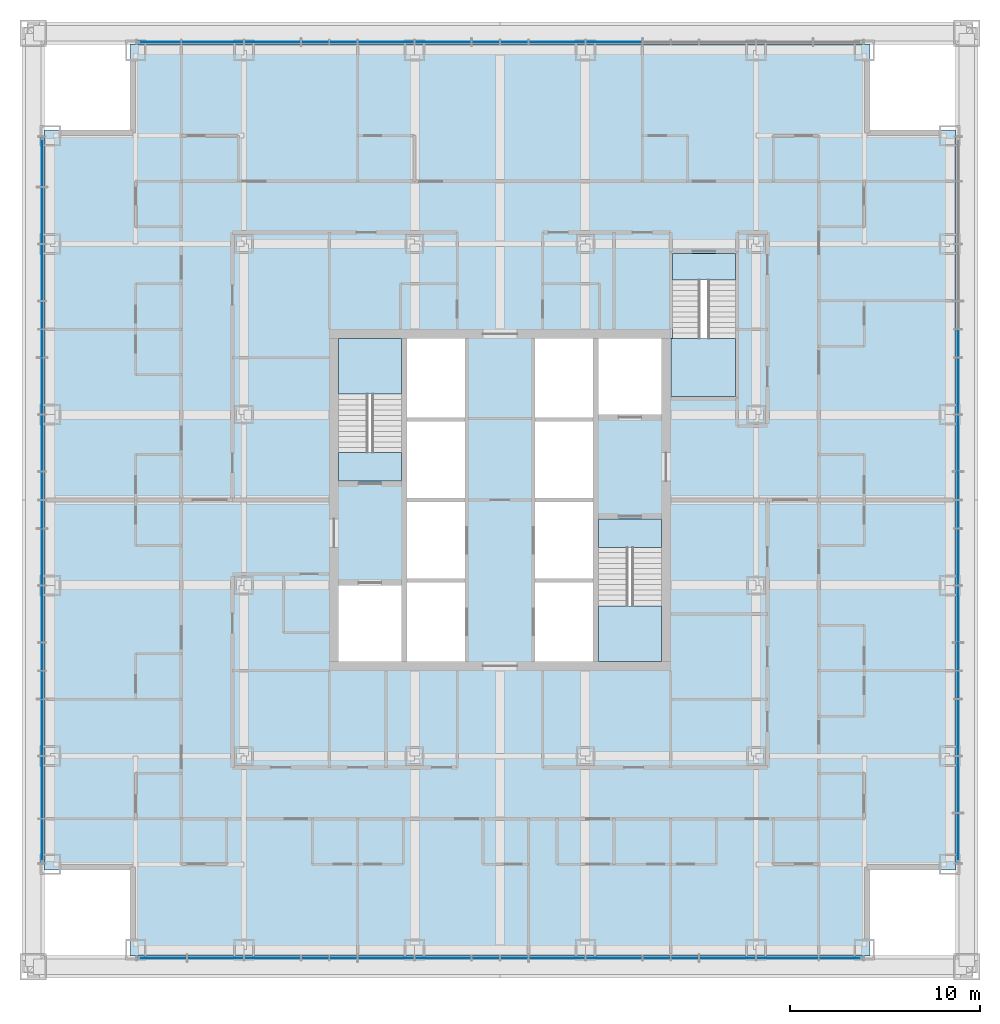
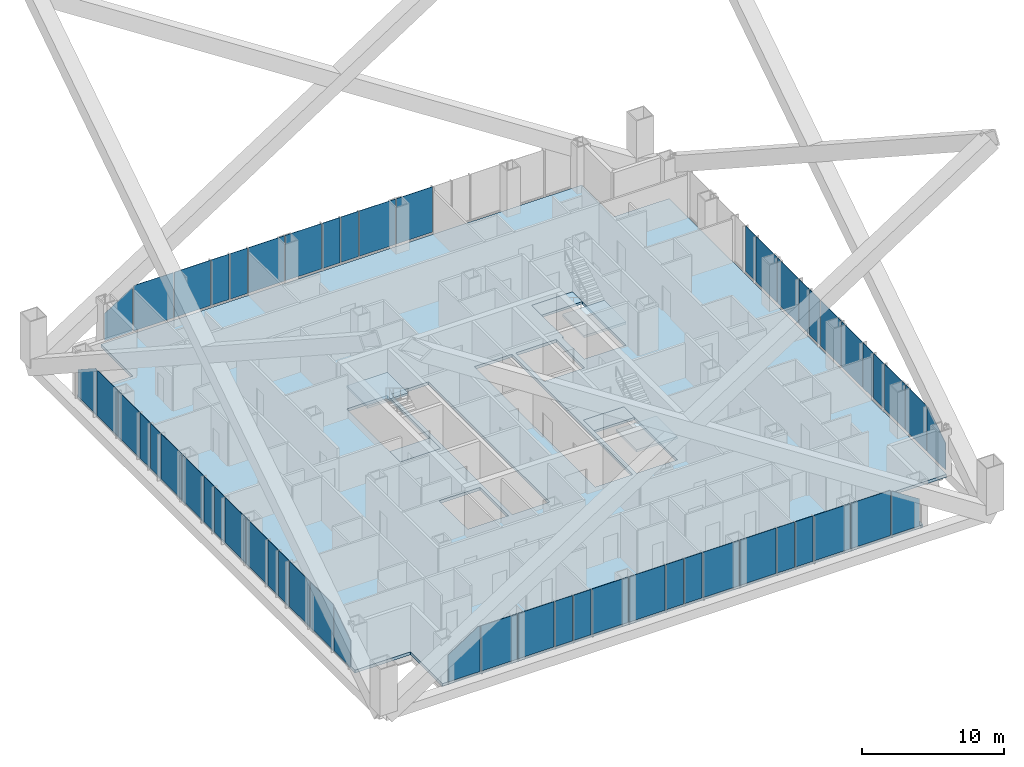
# One storey, part 10 of 21: 55 plates, 7 slabs, 7 elements without a shape of their own.
"""IFC4 building model written with IfcOpenShell, lengths in metres."""

from ifc_helpers import new_model, si_unit, direction, frame, origin, origin_2d, place, context, subcontext, project, spatial, polyline, rectangle, outline, extrude, material, layer, layer_set, type_object, element, aggregate, save


model = new_model("IFC4")

# Units and contexts
model_context = context("Model", 3, precision=1e-05, world=origin(), true_north=direction((0.0, 1.0)))
body_context = subcontext(model_context, "Body", "Model", "MODEL_VIEW")
ifc_project = project(units=[si_unit("LENGTHUNIT", "METRE"), si_unit("AREAUNIT", "SQUARE_METRE"), si_unit("VOLUMEUNIT", "CUBIC_METRE"), si_unit("PLANEANGLEUNIT", "RADIAN"), si_unit("MASSUNIT", "GRAM", prefix="KILO")], contexts=[model_context])

# Site, building, storey
site_placement = place(None, origin())
site = spatial("IfcSite", under=ifc_project, at=site_placement, CompositionType="ELEMENT")
building_placement = place(site_placement, origin())
building = spatial("IfcBuilding", under=site, at=building_placement, Name="Malebo Sky Hospital", CompositionType="ELEMENT")
storey_placement = place(building_placement, frame((0.0, 0.0, 140.0)))
storey = spatial("IfcBuildingStorey", under=building, at=storey_placement, Name="L33", CompositionType="ELEMENT", Elevation=140.0)

# Slab
ifc_material_1 = material(Name="Concrete C40/50", Category="concrete")
ifc_layer_1 = layer(ifc_material_1, 0.25)
ifc_layer_set_1 = layer_set([ifc_layer_1], Name="COMPOSITE FLOOR SLAB 250")
slab_type_1 = type_object("IfcSlabType", Name="COMPOSITE FLOOR SLAB 250", PredefinedType="FLOOR", material=ifc_layer_set_1)
slab_1_placement = place(storey_placement, frame((0.0, 0.0, -0.25)))
element("IfcSlab", 1, at=slab_1_placement, inside=storey, type_object=slab_type_1, Name="Floor slab L33", PredefinedType="FLOOR", context=body_context, shape_type="SweptSolid", body=[
    extrude(outline(polyline([(40.5, 86.0), (40.5, 81.5), (36.0, 81.5), (36.0, 42.5), (40.5, 42.5), (40.5, 38.0), (79.5, 38.0), (79.5, 42.5), (84.0, 42.5), (84.0, 81.5), (79.5, 81.5), (79.5, 86.0), (40.5, 86.0)]), holes=[polyline([(55.10009765625, 70.5), (58.14990234375, 70.5), (58.14990234375, 53.5), (55.10009765625, 53.5), (55.10009765625, 70.5)]), polyline([(64.89990234375, 70.5), (64.89990234375, 53.5), (61.85009765625, 53.5), (61.85009765625, 70.5), (64.89990234375, 70.5)]), polyline([(54.800048828125, 63.0), (51.5, 63.0), (51.5, 70.5), (54.800048828125, 70.5), (54.800048828125, 63.0)]), polyline([(51.5, 53.5), (51.5, 57.5), (54.800048828125, 57.5), (54.800048828125, 53.5), (51.5, 53.5)]), polyline([(65.199951171875, 61.0), (68.5, 61.0), (68.5, 53.5), (65.199951171875, 53.5), (65.199951171875, 61.0)]), polyline([(68.5, 70.5), (68.5, 66.5), (65.199951171875, 66.5), (65.199951171875, 70.5), (68.5, 70.5)]), polyline([(69.0, 67.449951171875), (69.0, 70.52001953125), (69.10009765625, 70.52001953125), (69.10009765625, 75.0), (72.39990234375, 75.0), (72.39990234375, 67.449951171875), (69.10009765625, 67.449951171875), (69.0, 67.449951171875)])]), origin(), (0.0, 0.0, 1.0), 0.25),
])

# Stair, slabs
stair_type_1 = type_object("IfcStairType", Name="HALF-TURN STAIR 1500 R167", PredefinedType="HALF_TURN_STAIR", material=ifc_material_1)
stair_1_placement = place(storey_placement, origin())
stair_1 = element("IfcStair", 2, at=stair_1_placement, inside=storey, type_object=stair_type_1, Name="Stair S1 L33 type ST1", PredefinedType="HALF_TURN_STAIR")
ifc_layer_2 = layer(ifc_material_1, 0.199951171875)
ifc_layer_set_2 = layer_set([ifc_layer_2], Name="STAIR LANDING 200")
slab_type_2 = type_object("IfcSlabType", Name="STAIR LANDING 200", PredefinedType="LANDING", material=ifc_layer_set_2)
slab_2_placement = place(storey_placement, frame((0.0, 0.0, -0.199951171875)))
slab_2 = element("IfcSlab", 3, at=slab_2_placement, type_object=slab_type_2, Name="S1 landing 1", PredefinedType="LANDING", context=body_context, shape_type="SweptSolid", body=[
    extrude(outline(polyline([(51.5, 63.0), (54.800048828125, 63.0), (54.800048828125, 64.5), (51.5, 64.5), (51.5, 63.0)])), origin(), (0.0, 0.0, 1.0), 0.199951171875),
])
slab_3_placement = place(storey_placement, frame((0.0, 0.0, 1.800048828125)))
slab_3 = element("IfcSlab", 4, at=slab_3_placement, type_object=slab_type_2, Name="S1 landing 2", PredefinedType="LANDING", context=body_context, shape_type="SweptSolid", body=[
    extrude(outline(polyline([(51.5, 67.580078125), (54.800048828125, 67.580078125), (54.800048828125, 70.5), (51.5, 70.5), (51.5, 67.580078125)])), origin(), (0.0, 0.0, 1.0), 0.199951171875),
])
aggregate(stair_1, [slab_2, slab_3])

stair_2_placement = place(storey_placement, origin())
stair_2 = element("IfcStair", 5, at=stair_2_placement, inside=storey, type_object=stair_type_1, Name="Stair S2 L33 type ST1", PredefinedType="HALF_TURN_STAIR")
slab_4_placement = place(storey_placement, frame((0.0, 0.0, -0.199951171875)))
slab_4 = element("IfcSlab", 6, at=slab_4_placement, type_object=slab_type_2, Name="S2 landing 1", PredefinedType="LANDING", context=body_context, shape_type="SweptSolid", body=[
    extrude(outline(polyline([(65.199951171875, 59.5), (68.5, 59.5), (68.5, 61.0), (65.199951171875, 61.0), (65.199951171875, 59.5)])), origin(), (0.0, 0.0, 1.0), 0.199951171875),
])
slab_5_placement = place(storey_placement, frame((0.0, 0.0, 1.800048828125)))
slab_5 = element("IfcSlab", 7, at=slab_5_placement, type_object=slab_type_2, Name="S2 landing 2", PredefinedType="LANDING", context=body_context, shape_type="SweptSolid", body=[
    extrude(outline(polyline([(65.199951171875, 53.5), (68.5, 53.5), (68.5, 56.419921875), (65.199951171875, 56.419921875), (65.199951171875, 53.5)])), origin(), (0.0, 0.0, 1.0), 0.199951171875),
])
aggregate(stair_2, [slab_4, slab_5])

stair_type_2 = type_object("IfcStairType", Name="HALF-TURN STAIR 1400 R167", PredefinedType="HALF_TURN_STAIR", material=ifc_material_1)
stair_3_placement = place(storey_placement, origin())
stair_3 = element("IfcStair", 8, at=stair_3_placement, inside=storey, type_object=stair_type_2, Name="Stair S3 L33 type ST1B", PredefinedType="HALF_TURN_STAIR")
slab_6_placement = place(storey_placement, frame((0.0, 0.0, -0.199951171875)))
slab_6 = element("IfcSlab", 9, at=slab_6_placement, type_object=slab_type_2, Name="S3 landing 1", PredefinedType="LANDING", context=body_context, shape_type="SweptSolid", body=[
    extrude(outline(polyline([(69.10009765625, 73.60009765625), (72.39990234375, 73.60009765625), (72.39990234375, 75.0), (69.10009765625, 75.0), (69.10009765625, 73.60009765625)])), origin(), (0.0, 0.0, 1.0), 0.199951171875),
])
slab_7_placement = place(storey_placement, frame((0.0, 0.0, 1.800048828125)))
slab_7 = element("IfcSlab", 10, at=slab_7_placement, type_object=slab_type_2, Name="S3 landing 2", PredefinedType="LANDING", context=body_context, shape_type="SweptSolid", body=[
    extrude(outline(polyline([(69.0, 67.449951171875), (72.39990234375, 67.449951171875), (72.39990234375, 70.52001953125), (69.0, 70.52001953125), (69.0, 67.449951171875)])), origin(), (0.0, 0.0, 1.0), 0.199951171875),
])
aggregate(stair_3, [slab_6, slab_7])

# Curtain wall, plates
ifc_material_2 = material(Name="Anodised aluminium, natural silver", Category="aluminium")
ifc_layer_3 = layer(ifc_material_2, 0.25)
ifc_layer_set_3 = layer_set([ifc_layer_3], Name="WARD CURTAIN WALL NORTH AND SOUTH")
curtain_wall_type_1 = type_object("IfcCurtainWallType", Name="WARD CURTAIN WALL NORTH AND SOUTH", PredefinedType="NOTDEFINED", material=ifc_layer_set_3)
curtain_wall_1_placement = place(storey_placement, origin())
curtain_wall_1 = element("IfcCurtainWall", 11, at=curtain_wall_1_placement, inside=storey, type_object=curtain_wall_type_1, Name="NS curtain wall N", PredefinedType="NOTDEFINED")
ifc_material_3 = material(Name="Clear low-iron double glazing", Category="glass")
ifc_layer_4 = layer(ifc_material_3, 0.031982421875)
ifc_layer_set_4 = layer_set([ifc_layer_4], Name="VISION PANEL CLEAR 32")
plate_type = type_object("IfcPlateType", Name="VISION PANEL CLEAR 32", PredefinedType="CURTAIN_PANEL", material=ifc_layer_set_4)
plate_1_placement = place(storey_placement, frame((42.018798828125, 86.135009765625, 0.10009765625), z_axis=(0.0, 0.0, 1.0), x_axis=(1.0, 0.0, 0.0)))
plate_1 = element("IfcPlate", 12, at=plate_1_placement, type_object=plate_type, Name="Panel 1", PredefinedType="CURTAIN_PANEL", context=body_context, shape_type="SweptSolid", body=[
    extrude(outline(polyline([(-1.143798828125, 0.0), (1.143798828125, 0.0), (1.143798828125, 3.802734375), (-1.143798828125, 2.31494140625), (-1.143798828125, 0.0)])), frame((0.0, 0.01611328125, 0.0), z_axis=(0.0, -1.0, 0.0), x_axis=(1.0, 0.0, 0.0)), (0.0, 0.0, 1.0), 0.031982421875),
])
plate_2_placement = place(storey_placement, frame((44.85009765625, 86.135009765625, 0.10009765625), z_axis=(0.0, 0.0, 1.0), x_axis=(1.0, 0.0, 0.0)))
plate_2 = element("IfcPlate", 13, at=plate_2_placement, type_object=plate_type, Name="Panel 2", PredefinedType="CURTAIN_PANEL", context=body_context, shape_type="SweptSolid", body=[
    extrude(outline(polyline([(-1.612548828125, 0.0), (1.612548828125, 0.0), (1.612548828125, 3.889892578125), (-1.553466796875, 3.889892578125), (-1.612548828125, 3.8515625), (-1.612548828125, 0.0)])), frame((0.0, 0.01611328125, 0.0), z_axis=(0.0, -1.0, 0.0), x_axis=(1.0, 0.0, 0.0)), (0.0, 0.0, 1.0), 0.031982421875),
])
plate_3_placement = place(storey_placement, frame((48.0, 86.135009765625, 0.10009765625), z_axis=(0.0, 0.0, 1.0), x_axis=(1.0, 0.0, 0.0)))
plate_3 = element("IfcPlate", 14, at=plate_3_placement, type_object=plate_type, Name="Panel 3", PredefinedType="CURTAIN_PANEL", context=body_context, shape_type="SweptSolid", body=[
    extrude(rectangle(XDim=2.925048828125, YDim=0.031982421875, at=origin_2d()), origin(), (0.0, 0.0, 1.0), 3.889892578125),
])
plate_4_placement = place(storey_placement, frame((50.25, 86.135009765625, 0.10009765625), z_axis=(0.0, 0.0, 1.0), x_axis=(1.0, 0.0, 0.0)))
plate_4 = element("IfcPlate", 15, at=plate_4_placement, type_object=plate_type, Name="Panel 4", PredefinedType="CURTAIN_PANEL", context=body_context, shape_type="SweptSolid", body=[
    extrude(rectangle(XDim=1.425048828125, YDim=0.031982421875, at=origin_2d()), origin(), (0.0, 0.0, 1.0), 3.889892578125),
])
plate_5_placement = place(storey_placement, frame((51.75, 86.135009765625, 0.10009765625), z_axis=(0.0, 0.0, 1.0), x_axis=(1.0, 0.0, 0.0)))
plate_5 = element("IfcPlate", 16, at=plate_5_placement, type_object=plate_type, Name="Panel 5", PredefinedType="CURTAIN_PANEL", context=body_context, shape_type="SweptSolid", body=[
    extrude(rectangle(XDim=1.425048828125, YDim=0.031982421875, at=origin_2d()), origin(), (0.0, 0.0, 1.0), 3.889892578125),
])
plate_6_placement = place(storey_placement, frame((54.0, 86.135009765625, 0.10009765625), z_axis=(0.0, 0.0, 1.0), x_axis=(1.0, 0.0, 0.0)))
plate_6 = element("IfcPlate", 17, at=plate_6_placement, type_object=plate_type, Name="Panel 6", PredefinedType="CURTAIN_PANEL", context=body_context, shape_type="SweptSolid", body=[
    extrude(rectangle(XDim=2.925048828125, YDim=0.031982421875, at=origin_2d()), origin(), (0.0, 0.0, 1.0), 3.889892578125),
])
plate_7_placement = place(storey_placement, frame((57.0, 86.135009765625, 0.10009765625), z_axis=(0.0, 0.0, 1.0), x_axis=(1.0, 0.0, 0.0)))
plate_7 = element("IfcPlate", 18, at=plate_7_placement, type_object=plate_type, Name="Panel 7", PredefinedType="CURTAIN_PANEL", context=body_context, shape_type="SweptSolid", body=[
    extrude(rectangle(XDim=2.925048828125, YDim=0.031982421875, at=origin_2d()), origin(), (0.0, 0.0, 1.0), 3.889892578125),
])
plate_8_placement = place(storey_placement, frame((59.25, 86.135009765625, 0.10009765625), z_axis=(0.0, 0.0, 1.0), x_axis=(1.0, 0.0, 0.0)))
plate_8 = element("IfcPlate", 19, at=plate_8_placement, type_object=plate_type, Name="Panel 8", PredefinedType="CURTAIN_PANEL", context=body_context, shape_type="SweptSolid", body=[
    extrude(rectangle(XDim=1.425048828125, YDim=0.031982421875, at=origin_2d()), origin(), (0.0, 0.0, 1.0), 3.889892578125),
])
plate_9_placement = place(storey_placement, frame((60.75, 86.135009765625, 0.10009765625), z_axis=(0.0, 0.0, 1.0), x_axis=(1.0, 0.0, 0.0)))
plate_9 = element("IfcPlate", 20, at=plate_9_placement, type_object=plate_type, Name="Panel 9", PredefinedType="CURTAIN_PANEL", context=body_context, shape_type="SweptSolid", body=[
    extrude(rectangle(XDim=1.425048828125, YDim=0.031982421875, at=origin_2d()), origin(), (0.0, 0.0, 1.0), 3.889892578125),
])
plate_10_placement = place(storey_placement, frame((63.0, 86.135009765625, 0.10009765625), z_axis=(0.0, 0.0, 1.0), x_axis=(1.0, 0.0, 0.0)))
plate_10 = element("IfcPlate", 21, at=plate_10_placement, type_object=plate_type, Name="Panel 10", PredefinedType="CURTAIN_PANEL", context=body_context, shape_type="SweptSolid", body=[
    extrude(rectangle(XDim=2.925048828125, YDim=0.031982421875, at=origin_2d()), origin(), (0.0, 0.0, 1.0), 3.889892578125),
])
plate_11_placement = place(storey_placement, frame((66.0, 86.135009765625, 0.10009765625), z_axis=(0.0, 0.0, 1.0), x_axis=(1.0, 0.0, 0.0)))
plate_11 = element("IfcPlate", 22, at=plate_11_placement, type_object=plate_type, Name="Panel 11", PredefinedType="CURTAIN_PANEL", context=body_context, shape_type="SweptSolid", body=[
    extrude(rectangle(XDim=2.925048828125, YDim=0.031982421875, at=origin_2d()), origin(), (0.0, 0.0, 1.0), 3.889892578125),
])
aggregate(curtain_wall_1, [plate_1, plate_2, plate_3, plate_4, plate_5, plate_6, plate_7, plate_8, plate_9, plate_10, plate_11])

ifc_layer_5 = layer(ifc_material_2, 0.25)
ifc_layer_set_5 = layer_set([ifc_layer_5], Name="WARD CURTAIN WALL EAST AND WEST")
curtain_wall_type_2 = type_object("IfcCurtainWallType", Name="WARD CURTAIN WALL EAST AND WEST", PredefinedType="NOTDEFINED", material=ifc_layer_set_5)
curtain_wall_2_placement = place(storey_placement, origin())
curtain_wall_2 = element("IfcCurtainWall", 23, at=curtain_wall_2_placement, inside=storey, type_object=curtain_wall_type_2, Name="EW curtain wall W", PredefinedType="NOTDEFINED")
plate_12_placement = place(storey_placement, frame((35.864990234375, 44.018798828125, 0.10009765625), z_axis=(0.0, 0.0, 1.0), x_axis=(0.0, 1.0, 0.0)))
plate_12 = element("IfcPlate", 24, at=plate_12_placement, type_object=plate_type, Name="Panel 1", PredefinedType="CURTAIN_PANEL", context=body_context, shape_type="SweptSolid", body=[
    extrude(outline(polyline([(-1.143798828125, 0.0), (1.143798828125, 0.0), (1.143798828125, 3.802734375), (-1.143798828125, 2.31494140625), (-1.143798828125, 0.0)])), frame((0.0, 0.01611328125, 0.0), z_axis=(0.0, -1.0, 0.0), x_axis=(1.0, 0.0, 0.0)), (0.0, 0.0, 1.0), 0.031982421875),
])
plate_13_placement = place(storey_placement, frame((35.864990234375, 46.85009765625, 0.10009765625), z_axis=(0.0, 0.0, 1.0), x_axis=(0.0, 1.0, 0.0)))
plate_13 = element("IfcPlate", 25, at=plate_13_placement, type_object=plate_type, Name="Panel 2", PredefinedType="CURTAIN_PANEL", context=body_context, shape_type="SweptSolid", body=[
    extrude(outline(polyline([(-1.612548828125, 0.0), (1.612548828125, 0.0), (1.612548828125, 3.889892578125), (-1.553466796875, 3.889892578125), (-1.612548828125, 3.8515625), (-1.612548828125, 0.0)])), frame((0.0, 0.01611328125, 0.0), z_axis=(0.0, -1.0, 0.0), x_axis=(1.0, 0.0, 0.0)), (0.0, 0.0, 1.0), 0.031982421875),
])
plate_14_placement = place(storey_placement, frame((35.864990234375, 50.0, 0.10009765625), z_axis=(0.0, 0.0, 1.0), x_axis=(0.0, 1.0, 0.0)))
plate_14 = element("IfcPlate", 26, at=plate_14_placement, type_object=plate_type, Name="Panel 3", PredefinedType="CURTAIN_PANEL", context=body_context, shape_type="SweptSolid", body=[
    extrude(rectangle(XDim=2.925048828125, YDim=0.031982421875, at=origin_2d()), origin(), (0.0, 0.0, 1.0), 3.889892578125),
])
plate_15_placement = place(storey_placement, frame((35.864990234375, 52.25, 0.10009765625), z_axis=(0.0, 0.0, 1.0), x_axis=(0.0, 1.0, 0.0)))
plate_15 = element("IfcPlate", 27, at=plate_15_placement, type_object=plate_type, Name="Panel 4", PredefinedType="CURTAIN_PANEL", context=body_context, shape_type="SweptSolid", body=[
    extrude(rectangle(XDim=1.425048828125, YDim=0.031982421875, at=origin_2d()), origin(), (0.0, 0.0, 1.0), 3.889892578125),
])
plate_16_placement = place(storey_placement, frame((35.864990234375, 53.75, 0.10009765625), z_axis=(0.0, 0.0, 1.0), x_axis=(0.0, 1.0, 0.0)))
plate_16 = element("IfcPlate", 28, at=plate_16_placement, type_object=plate_type, Name="Panel 5", PredefinedType="CURTAIN_PANEL", context=body_context, shape_type="SweptSolid", body=[
    extrude(rectangle(XDim=1.425048828125, YDim=0.031982421875, at=origin_2d()), origin(), (0.0, 0.0, 1.0), 3.889892578125),
])
plate_17_placement = place(storey_placement, frame((35.864990234375, 56.0, 0.10009765625), z_axis=(0.0, 0.0, 1.0), x_axis=(0.0, 1.0, 0.0)))
plate_17 = element("IfcPlate", 29, at=plate_17_placement, type_object=plate_type, Name="Panel 6", PredefinedType="CURTAIN_PANEL", context=body_context, shape_type="SweptSolid", body=[
    extrude(rectangle(XDim=2.925048828125, YDim=0.031982421875, at=origin_2d()), origin(), (0.0, 0.0, 1.0), 3.889892578125),
])
plate_18_placement = place(storey_placement, frame((35.864990234375, 59.0, 0.10009765625), z_axis=(0.0, 0.0, 1.0), x_axis=(0.0, 1.0, 0.0)))
plate_18 = element("IfcPlate", 30, at=plate_18_placement, type_object=plate_type, Name="Panel 7", PredefinedType="CURTAIN_PANEL", context=body_context, shape_type="SweptSolid", body=[
    extrude(rectangle(XDim=2.925048828125, YDim=0.031982421875, at=origin_2d()), origin(), (0.0, 0.0, 1.0), 3.889892578125),
])
plate_19_placement = place(storey_placement, frame((35.864990234375, 61.25, 0.10009765625), z_axis=(0.0, 0.0, 1.0), x_axis=(0.0, 1.0, 0.0)))
plate_19 = element("IfcPlate", 31, at=plate_19_placement, type_object=plate_type, Name="Panel 8", PredefinedType="CURTAIN_PANEL", context=body_context, shape_type="SweptSolid", body=[
    extrude(rectangle(XDim=1.425048828125, YDim=0.031982421875, at=origin_2d()), origin(), (0.0, 0.0, 1.0), 3.889892578125),
])
plate_20_placement = place(storey_placement, frame((35.864990234375, 62.75, 0.10009765625), z_axis=(0.0, 0.0, 1.0), x_axis=(0.0, 1.0, 0.0)))
plate_20 = element("IfcPlate", 32, at=plate_20_placement, type_object=plate_type, Name="Panel 9", PredefinedType="CURTAIN_PANEL", context=body_context, shape_type="SweptSolid", body=[
    extrude(rectangle(XDim=1.425048828125, YDim=0.031982421875, at=origin_2d()), origin(), (0.0, 0.0, 1.0), 3.889892578125),
])
plate_21_placement = place(storey_placement, frame((35.864990234375, 65.0, 0.10009765625), z_axis=(0.0, 0.0, 1.0), x_axis=(0.0, 1.0, 0.0)))
plate_21 = element("IfcPlate", 33, at=plate_21_placement, type_object=plate_type, Name="Panel 10", PredefinedType="CURTAIN_PANEL", context=body_context, shape_type="SweptSolid", body=[
    extrude(rectangle(XDim=2.925048828125, YDim=0.031982421875, at=origin_2d()), origin(), (0.0, 0.0, 1.0), 3.889892578125),
])
plate_22_placement = place(storey_placement, frame((35.864990234375, 68.0, 0.10009765625), z_axis=(0.0, 0.0, 1.0), x_axis=(0.0, 1.0, 0.0)))
plate_22 = element("IfcPlate", 34, at=plate_22_placement, type_object=plate_type, Name="Panel 11", PredefinedType="CURTAIN_PANEL", context=body_context, shape_type="SweptSolid", body=[
    extrude(rectangle(XDim=2.925048828125, YDim=0.031982421875, at=origin_2d()), origin(), (0.0, 0.0, 1.0), 3.889892578125),
])
plate_23_placement = place(storey_placement, frame((35.864990234375, 70.25, 0.10009765625), z_axis=(0.0, 0.0, 1.0), x_axis=(0.0, 1.0, 0.0)))
plate_23 = element("IfcPlate", 35, at=plate_23_placement, type_object=plate_type, Name="Panel 12", PredefinedType="CURTAIN_PANEL", context=body_context, shape_type="SweptSolid", body=[
    extrude(rectangle(XDim=1.425048828125, YDim=0.031982421875, at=origin_2d()), origin(), (0.0, 0.0, 1.0), 3.889892578125),
])
plate_24_placement = place(storey_placement, frame((35.864990234375, 71.75, 0.10009765625), z_axis=(0.0, 0.0, 1.0), x_axis=(0.0, 1.0, 0.0)))
plate_24 = element("IfcPlate", 36, at=plate_24_placement, type_object=plate_type, Name="Panel 13", PredefinedType="CURTAIN_PANEL", context=body_context, shape_type="SweptSolid", body=[
    extrude(rectangle(XDim=1.425048828125, YDim=0.031982421875, at=origin_2d()), origin(), (0.0, 0.0, 1.0), 3.889892578125),
])
plate_25_placement = place(storey_placement, frame((35.864990234375, 74.0, 0.10009765625), z_axis=(0.0, 0.0, 1.0), x_axis=(0.0, 1.0, 0.0)))
plate_25 = element("IfcPlate", 37, at=plate_25_placement, type_object=plate_type, Name="Panel 14", PredefinedType="CURTAIN_PANEL", context=body_context, shape_type="SweptSolid", body=[
    extrude(rectangle(XDim=2.925048828125, YDim=0.031982421875, at=origin_2d()), origin(), (0.0, 0.0, 1.0), 3.889892578125),
])
plate_26_placement = place(storey_placement, frame((35.864990234375, 77.0, 0.10009765625), z_axis=(0.0, 0.0, 1.0), x_axis=(0.0, 1.0, 0.0)))
plate_26 = element("IfcPlate", 38, at=plate_26_placement, type_object=plate_type, Name="Panel 15", PredefinedType="CURTAIN_PANEL", context=body_context, shape_type="SweptSolid", body=[
    extrude(rectangle(XDim=2.925048828125, YDim=0.031982421875, at=origin_2d()), origin(), (0.0, 0.0, 1.0), 3.889892578125),
])
plate_27_placement = place(storey_placement, frame((35.864990234375, 79.831298828125, 0.10009765625), z_axis=(0.0, 0.0, 1.0), x_axis=(0.0, 1.0, 0.0)))
plate_27 = element("IfcPlate", 39, at=plate_27_placement, type_object=plate_type, Name="Panel 16", PredefinedType="CURTAIN_PANEL", context=body_context, shape_type="SweptSolid", body=[
    extrude(outline(polyline([(-1.293701171875, 0.0), (1.293701171875, 0.0), (1.293701171875, 2.31494140625), (-1.1279296875, 3.889892578125), (-1.293701171875, 3.889892578125), (-1.293701171875, 0.0)])), frame((0.0, 0.01611328125, 0.0), z_axis=(0.0, -1.0, 0.0), x_axis=(1.0, 0.0, 0.0)), (0.0, 0.0, 1.0), 0.031982421875),
])
aggregate(curtain_wall_2, [plate_12, plate_13, plate_14, plate_15, plate_16, plate_17, plate_18, plate_19, plate_20, plate_21, plate_22, plate_23, plate_24, plate_25, plate_26, plate_27])

curtain_wall_3_placement = place(storey_placement, origin())
curtain_wall_3 = element("IfcCurtainWall", 40, at=curtain_wall_3_placement, inside=storey, type_object=curtain_wall_type_1, Name="NS curtain wall S", PredefinedType="NOTDEFINED")
plate_28_placement = place(storey_placement, frame((77.981201171875, 37.864990234375, 0.10009765625), z_axis=(0.0, 0.0, 1.0), x_axis=(-1.0, 0.0, 0.0)))
plate_28 = element("IfcPlate", 41, at=plate_28_placement, type_object=plate_type, Name="Panel 1", PredefinedType="CURTAIN_PANEL", context=body_context, shape_type="SweptSolid", body=[
    extrude(outline(polyline([(-1.143798828125, 0.0), (1.143798828125, 0.0), (1.143798828125, 3.802734375), (-1.143798828125, 2.31494140625), (-1.143798828125, 0.0)])), frame((0.0, 0.01611328125, 0.0), z_axis=(0.0, -1.0, 0.0), x_axis=(1.0, 0.0, 0.0)), (0.0, 0.0, 1.0), 0.031982421875),
])
plate_29_placement = place(storey_placement, frame((75.14990234375, 37.864990234375, 0.10009765625), z_axis=(0.0, 0.0, 1.0), x_axis=(-1.0, 0.0, 0.0)))
plate_29 = element("IfcPlate", 42, at=plate_29_placement, type_object=plate_type, Name="Panel 2", PredefinedType="CURTAIN_PANEL", context=body_context, shape_type="SweptSolid", body=[
    extrude(outline(polyline([(-1.612548828125, 0.0), (1.612548828125, 0.0), (1.612548828125, 3.889892578125), (-1.553466796875, 3.889892578125), (-1.612548828125, 3.8515625), (-1.612548828125, 0.0)])), frame((0.0, 0.01611328125, 0.0), z_axis=(0.0, -1.0, 0.0), x_axis=(1.0, 0.0, 0.0)), (0.0, 0.0, 1.0), 0.031982421875),
])
plate_30_placement = place(storey_placement, frame((72.0, 37.864990234375, 0.10009765625), z_axis=(0.0, 0.0, 1.0), x_axis=(-1.0, 0.0, 0.0)))
plate_30 = element("IfcPlate", 43, at=plate_30_placement, type_object=plate_type, Name="Panel 3", PredefinedType="CURTAIN_PANEL", context=body_context, shape_type="SweptSolid", body=[
    extrude(rectangle(XDim=2.925048828125, YDim=0.031982421875, at=origin_2d()), origin(), (0.0, 0.0, 1.0), 3.889892578125),
])
plate_31_placement = place(storey_placement, frame((69.75, 37.864990234375, 0.10009765625), z_axis=(0.0, 0.0, 1.0), x_axis=(-1.0, 0.0, 0.0)))
plate_31 = element("IfcPlate", 44, at=plate_31_placement, type_object=plate_type, Name="Panel 4", PredefinedType="CURTAIN_PANEL", context=body_context, shape_type="SweptSolid", body=[
    extrude(rectangle(XDim=1.425048828125, YDim=0.031982421875, at=origin_2d()), origin(), (0.0, 0.0, 1.0), 3.889892578125),
])
plate_32_placement = place(storey_placement, frame((68.25, 37.864990234375, 0.10009765625), z_axis=(0.0, 0.0, 1.0), x_axis=(-1.0, 0.0, 0.0)))
plate_32 = element("IfcPlate", 45, at=plate_32_placement, type_object=plate_type, Name="Panel 5", PredefinedType="CURTAIN_PANEL", context=body_context, shape_type="SweptSolid", body=[
    extrude(rectangle(XDim=1.425048828125, YDim=0.031982421875, at=origin_2d()), origin(), (0.0, 0.0, 1.0), 3.889892578125),
])
plate_33_placement = place(storey_placement, frame((66.0, 37.864990234375, 0.10009765625), z_axis=(0.0, 0.0, 1.0), x_axis=(-1.0, 0.0, 0.0)))
plate_33 = element("IfcPlate", 46, at=plate_33_placement, type_object=plate_type, Name="Panel 6", PredefinedType="CURTAIN_PANEL", context=body_context, shape_type="SweptSolid", body=[
    extrude(rectangle(XDim=2.925048828125, YDim=0.031982421875, at=origin_2d()), origin(), (0.0, 0.0, 1.0), 3.889892578125),
])
plate_34_placement = place(storey_placement, frame((63.0, 37.864990234375, 0.10009765625), z_axis=(0.0, 0.0, 1.0), x_axis=(-1.0, 0.0, 0.0)))
plate_34 = element("IfcPlate", 47, at=plate_34_placement, type_object=plate_type, Name="Panel 7", PredefinedType="CURTAIN_PANEL", context=body_context, shape_type="SweptSolid", body=[
    extrude(rectangle(XDim=2.925048828125, YDim=0.031982421875, at=origin_2d()), origin(), (0.0, 0.0, 1.0), 3.889892578125),
])
plate_35_placement = place(storey_placement, frame((60.75, 37.864990234375, 0.10009765625), z_axis=(0.0, 0.0, 1.0), x_axis=(-1.0, 0.0, 0.0)))
plate_35 = element("IfcPlate", 48, at=plate_35_placement, type_object=plate_type, Name="Panel 8", PredefinedType="CURTAIN_PANEL", context=body_context, shape_type="SweptSolid", body=[
    extrude(rectangle(XDim=1.425048828125, YDim=0.031982421875, at=origin_2d()), origin(), (0.0, 0.0, 1.0), 3.889892578125),
])
plate_36_placement = place(storey_placement, frame((59.25, 37.864990234375, 0.10009765625), z_axis=(0.0, 0.0, 1.0), x_axis=(-1.0, 0.0, 0.0)))
plate_36 = element("IfcPlate", 49, at=plate_36_placement, type_object=plate_type, Name="Panel 9", PredefinedType="CURTAIN_PANEL", context=body_context, shape_type="SweptSolid", body=[
    extrude(rectangle(XDim=1.425048828125, YDim=0.031982421875, at=origin_2d()), origin(), (0.0, 0.0, 1.0), 3.889892578125),
])
plate_37_placement = place(storey_placement, frame((57.0, 37.864990234375, 0.10009765625), z_axis=(0.0, 0.0, 1.0), x_axis=(-1.0, 0.0, 0.0)))
plate_37 = element("IfcPlate", 50, at=plate_37_placement, type_object=plate_type, Name="Panel 10", PredefinedType="CURTAIN_PANEL", context=body_context, shape_type="SweptSolid", body=[
    extrude(rectangle(XDim=2.925048828125, YDim=0.031982421875, at=origin_2d()), origin(), (0.0, 0.0, 1.0), 3.889892578125),
])
plate_38_placement = place(storey_placement, frame((54.0, 37.864990234375, 0.10009765625), z_axis=(0.0, 0.0, 1.0), x_axis=(-1.0, 0.0, 0.0)))
plate_38 = element("IfcPlate", 51, at=plate_38_placement, type_object=plate_type, Name="Panel 11", PredefinedType="CURTAIN_PANEL", context=body_context, shape_type="SweptSolid", body=[
    extrude(rectangle(XDim=2.925048828125, YDim=0.031982421875, at=origin_2d()), origin(), (0.0, 0.0, 1.0), 3.889892578125),
])
plate_39_placement = place(storey_placement, frame((51.75, 37.864990234375, 0.10009765625), z_axis=(0.0, 0.0, 1.0), x_axis=(-1.0, 0.0, 0.0)))
plate_39 = element("IfcPlate", 52, at=plate_39_placement, type_object=plate_type, Name="Panel 12", PredefinedType="CURTAIN_PANEL", context=body_context, shape_type="SweptSolid", body=[
    extrude(rectangle(XDim=1.425048828125, YDim=0.031982421875, at=origin_2d()), origin(), (0.0, 0.0, 1.0), 3.889892578125),
])
plate_40_placement = place(storey_placement, frame((50.25, 37.864990234375, 0.10009765625), z_axis=(0.0, 0.0, 1.0), x_axis=(-1.0, 0.0, 0.0)))
plate_40 = element("IfcPlate", 53, at=plate_40_placement, type_object=plate_type, Name="Panel 13", PredefinedType="CURTAIN_PANEL", context=body_context, shape_type="SweptSolid", body=[
    extrude(rectangle(XDim=1.425048828125, YDim=0.031982421875, at=origin_2d()), origin(), (0.0, 0.0, 1.0), 3.889892578125),
])
plate_41_placement = place(storey_placement, frame((48.0, 37.864990234375, 0.10009765625), z_axis=(0.0, 0.0, 1.0), x_axis=(-1.0, 0.0, 0.0)))
plate_41 = element("IfcPlate", 54, at=plate_41_placement, type_object=plate_type, Name="Panel 14", PredefinedType="CURTAIN_PANEL", context=body_context, shape_type="SweptSolid", body=[
    extrude(rectangle(XDim=2.925048828125, YDim=0.031982421875, at=origin_2d()), origin(), (0.0, 0.0, 1.0), 3.889892578125),
])
plate_42_placement = place(storey_placement, frame((45.0, 37.864990234375, 0.10009765625), z_axis=(0.0, 0.0, 1.0), x_axis=(-1.0, 0.0, 0.0)))
plate_42 = element("IfcPlate", 55, at=plate_42_placement, type_object=plate_type, Name="Panel 15", PredefinedType="CURTAIN_PANEL", context=body_context, shape_type="SweptSolid", body=[
    extrude(rectangle(XDim=2.925048828125, YDim=0.031982421875, at=origin_2d()), origin(), (0.0, 0.0, 1.0), 3.889892578125),
])
plate_43_placement = place(storey_placement, frame((42.168701171875, 37.864990234375, 0.10009765625), z_axis=(0.0, 0.0, 1.0), x_axis=(-1.0, 0.0, 0.0)))
plate_43 = element("IfcPlate", 56, at=plate_43_placement, type_object=plate_type, Name="Panel 16", PredefinedType="CURTAIN_PANEL", context=body_context, shape_type="SweptSolid", body=[
    extrude(outline(polyline([(-1.293701171875, 0.0), (1.293701171875, 0.0), (1.293701171875, 2.31494140625), (-1.1279296875, 3.889892578125), (-1.293701171875, 3.889892578125), (-1.293701171875, 0.0)])), frame((0.0, 0.01611328125, 0.0), z_axis=(0.0, -1.0, 0.0), x_axis=(1.0, 0.0, 0.0)), (0.0, 0.0, 1.0), 0.031982421875),
])
aggregate(curtain_wall_3, [plate_28, plate_29, plate_30, plate_31, plate_32, plate_33, plate_34, plate_35, plate_36, plate_37, plate_38, plate_39, plate_40, plate_41, plate_42, plate_43])

curtain_wall_4_placement = place(storey_placement, origin())
curtain_wall_4 = element("IfcCurtainWall", 57, at=curtain_wall_4_placement, inside=storey, type_object=curtain_wall_type_2, Name="EW curtain wall E", PredefinedType="NOTDEFINED")
plate_44_placement = place(storey_placement, frame((84.135009765625, 70.25, 0.10009765625), z_axis=(0.0, 0.0, 1.0), x_axis=(0.0, -1.0, 0.0)))
plate_44 = element("IfcPlate", 58, at=plate_44_placement, type_object=plate_type, Name="Panel 5", PredefinedType="CURTAIN_PANEL", context=body_context, shape_type="SweptSolid", body=[
    extrude(rectangle(XDim=1.425048828125, YDim=0.031982421875, at=origin_2d()), origin(), (0.0, 0.0, 1.0), 3.889892578125),
])
plate_45_placement = place(storey_placement, frame((84.135009765625, 68.0, 0.10009765625), z_axis=(0.0, 0.0, 1.0), x_axis=(0.0, -1.0, 0.0)))
plate_45 = element("IfcPlate", 59, at=plate_45_placement, type_object=plate_type, Name="Panel 6", PredefinedType="CURTAIN_PANEL", context=body_context, shape_type="SweptSolid", body=[
    extrude(rectangle(XDim=2.925048828125, YDim=0.031982421875, at=origin_2d()), origin(), (0.0, 0.0, 1.0), 3.889892578125),
])
plate_46_placement = place(storey_placement, frame((84.135009765625, 65.0, 0.10009765625), z_axis=(0.0, 0.0, 1.0), x_axis=(0.0, -1.0, 0.0)))
plate_46 = element("IfcPlate", 60, at=plate_46_placement, type_object=plate_type, Name="Panel 7", PredefinedType="CURTAIN_PANEL", context=body_context, shape_type="SweptSolid", body=[
    extrude(rectangle(XDim=2.925048828125, YDim=0.031982421875, at=origin_2d()), origin(), (0.0, 0.0, 1.0), 3.889892578125),
])
plate_47_placement = place(storey_placement, frame((84.135009765625, 62.75, 0.10009765625), z_axis=(0.0, 0.0, 1.0), x_axis=(0.0, -1.0, 0.0)))
plate_47 = element("IfcPlate", 61, at=plate_47_placement, type_object=plate_type, Name="Panel 8", PredefinedType="CURTAIN_PANEL", context=body_context, shape_type="SweptSolid", body=[
    extrude(rectangle(XDim=1.425048828125, YDim=0.031982421875, at=origin_2d()), origin(), (0.0, 0.0, 1.0), 3.889892578125),
])
plate_48_placement = place(storey_placement, frame((84.135009765625, 61.25, 0.10009765625), z_axis=(0.0, 0.0, 1.0), x_axis=(0.0, -1.0, 0.0)))
plate_48 = element("IfcPlate", 62, at=plate_48_placement, type_object=plate_type, Name="Panel 9", PredefinedType="CURTAIN_PANEL", context=body_context, shape_type="SweptSolid", body=[
    extrude(rectangle(XDim=1.425048828125, YDim=0.031982421875, at=origin_2d()), origin(), (0.0, 0.0, 1.0), 3.889892578125),
])
plate_49_placement = place(storey_placement, frame((84.135009765625, 59.0, 0.10009765625), z_axis=(0.0, 0.0, 1.0), x_axis=(0.0, -1.0, 0.0)))
plate_49 = element("IfcPlate", 63, at=plate_49_placement, type_object=plate_type, Name="Panel 10", PredefinedType="CURTAIN_PANEL", context=body_context, shape_type="SweptSolid", body=[
    extrude(rectangle(XDim=2.925048828125, YDim=0.031982421875, at=origin_2d()), origin(), (0.0, 0.0, 1.0), 3.889892578125),
])
plate_50_placement = place(storey_placement, frame((84.135009765625, 56.0, 0.10009765625), z_axis=(0.0, 0.0, 1.0), x_axis=(0.0, -1.0, 0.0)))
plate_50 = element("IfcPlate", 64, at=plate_50_placement, type_object=plate_type, Name="Panel 11", PredefinedType="CURTAIN_PANEL", context=body_context, shape_type="SweptSolid", body=[
    extrude(rectangle(XDim=2.925048828125, YDim=0.031982421875, at=origin_2d()), origin(), (0.0, 0.0, 1.0), 3.889892578125),
])
plate_51_placement = place(storey_placement, frame((84.135009765625, 53.75, 0.10009765625), z_axis=(0.0, 0.0, 1.0), x_axis=(0.0, -1.0, 0.0)))
plate_51 = element("IfcPlate", 65, at=plate_51_placement, type_object=plate_type, Name="Panel 12", PredefinedType="CURTAIN_PANEL", context=body_context, shape_type="SweptSolid", body=[
    extrude(rectangle(XDim=1.425048828125, YDim=0.031982421875, at=origin_2d()), origin(), (0.0, 0.0, 1.0), 3.889892578125),
])
plate_52_placement = place(storey_placement, frame((84.135009765625, 52.25, 0.10009765625), z_axis=(0.0, 0.0, 1.0), x_axis=(0.0, -1.0, 0.0)))
plate_52 = element("IfcPlate", 66, at=plate_52_placement, type_object=plate_type, Name="Panel 13", PredefinedType="CURTAIN_PANEL", context=body_context, shape_type="SweptSolid", body=[
    extrude(rectangle(XDim=1.425048828125, YDim=0.031982421875, at=origin_2d()), origin(), (0.0, 0.0, 1.0), 3.889892578125),
])
plate_53_placement = place(storey_placement, frame((84.135009765625, 50.0, 0.10009765625), z_axis=(0.0, 0.0, 1.0), x_axis=(0.0, -1.0, 0.0)))
plate_53 = element("IfcPlate", 67, at=plate_53_placement, type_object=plate_type, Name="Panel 14", PredefinedType="CURTAIN_PANEL", context=body_context, shape_type="SweptSolid", body=[
    extrude(rectangle(XDim=2.925048828125, YDim=0.031982421875, at=origin_2d()), origin(), (0.0, 0.0, 1.0), 3.889892578125),
])
plate_54_placement = place(storey_placement, frame((84.135009765625, 47.0, 0.10009765625), z_axis=(0.0, 0.0, 1.0), x_axis=(0.0, -1.0, 0.0)))
plate_54 = element("IfcPlate", 68, at=plate_54_placement, type_object=plate_type, Name="Panel 15", PredefinedType="CURTAIN_PANEL", context=body_context, shape_type="SweptSolid", body=[
    extrude(rectangle(XDim=2.925048828125, YDim=0.031982421875, at=origin_2d()), origin(), (0.0, 0.0, 1.0), 3.889892578125),
])
plate_55_placement = place(storey_placement, frame((84.135009765625, 44.168701171875, 0.10009765625), z_axis=(0.0, 0.0, 1.0), x_axis=(0.0, -1.0, 0.0)))
plate_55 = element("IfcPlate", 69, at=plate_55_placement, type_object=plate_type, Name="Panel 16", PredefinedType="CURTAIN_PANEL", context=body_context, shape_type="SweptSolid", body=[
    extrude(outline(polyline([(-1.293701171875, 0.0), (1.293701171875, 0.0), (1.293701171875, 2.31494140625), (-1.1279296875, 3.889892578125), (-1.293701171875, 3.889892578125), (-1.293701171875, 0.0)])), frame((0.0, 0.01611328125, 0.0), z_axis=(0.0, -1.0, 0.0), x_axis=(1.0, 0.0, 0.0)), (0.0, 0.0, 1.0), 0.031982421875),
])
aggregate(curtain_wall_4, [plate_44, plate_45, plate_46, plate_47, plate_48, plate_49, plate_50, plate_51, plate_52, plate_53, plate_54, plate_55])

save(model, "model.ifc")
